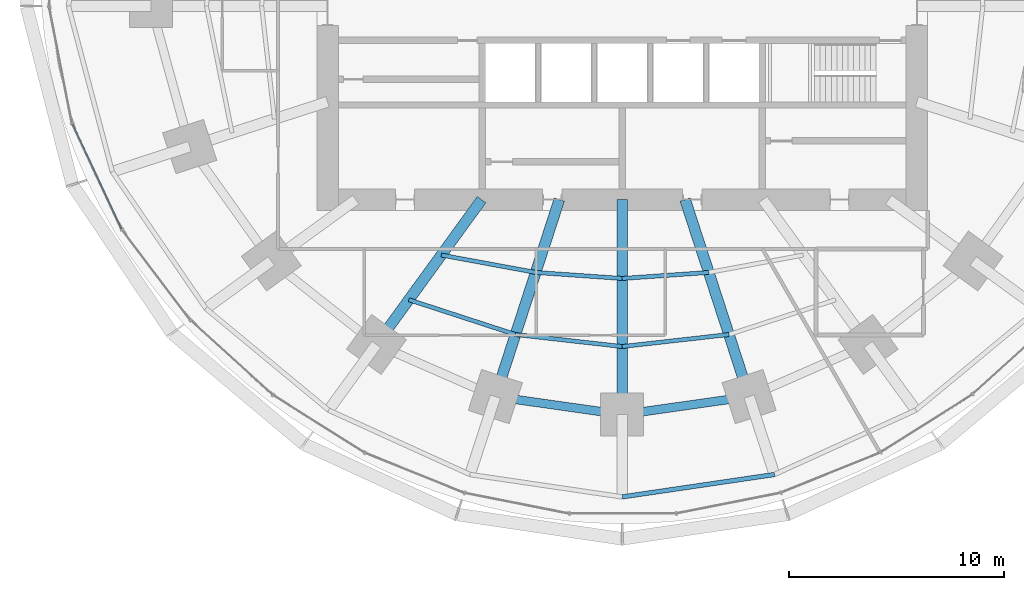
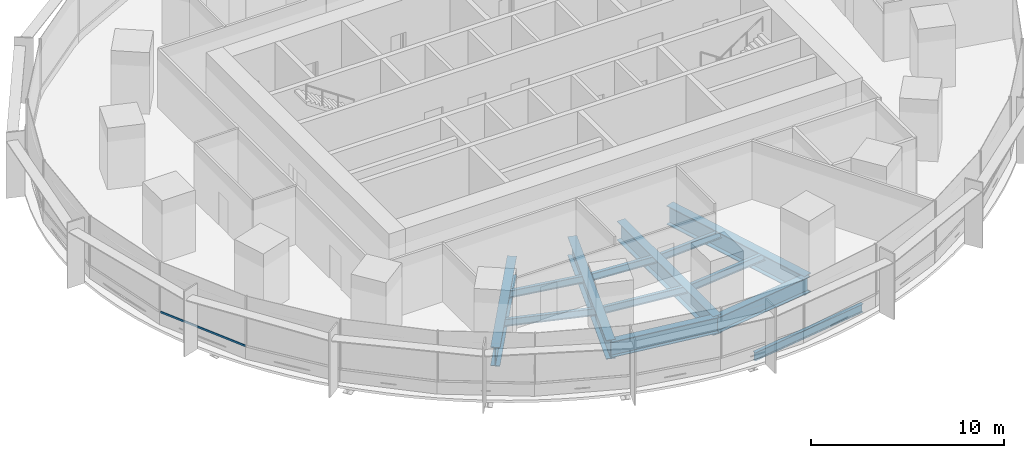
# One storey, part 3 of 15: 13 beams, 1 member, 1 element without a shape of its own.
"""IFC4 building model written with IfcOpenShell, lengths in metres."""

from ifc_helpers import new_model, si_unit, direction, frame, origin, origin_2d, place, context, subcontext, project, spatial, rectangle, i_section, extrude, material, material_profile, profile_set, type_object, element, aggregate, save


model = new_model("IFC4")

# Units and contexts
model_context = context("Model", 3, precision=1e-05, world=origin(), true_north=direction((0.0, 1.0)))
body_context = subcontext(model_context, "Body", "Model", "MODEL_VIEW")
ifc_project = project(units=[si_unit("LENGTHUNIT", "METRE"), si_unit("AREAUNIT", "SQUARE_METRE"), si_unit("VOLUMEUNIT", "CUBIC_METRE"), si_unit("PLANEANGLEUNIT", "RADIAN"), si_unit("MASSUNIT", "GRAM", prefix="KILO")], contexts=[model_context])

# Site, building, storey
site_placement = place(None, origin())
site = spatial("IfcSite", under=ifc_project, at=site_placement, CompositionType="ELEMENT")
building_placement = place(site_placement, origin())
building = spatial("IfcBuilding", under=site, at=building_placement, Name="Marramba Exchange Tower", CompositionType="ELEMENT")
storey_placement = place(building_placement, frame((0.0, 0.0, 82.60009765625)))
storey = spatial("IfcBuildingStorey", under=building, at=storey_placement, Name="L19", CompositionType="ELEMENT", Elevation=82.60009765625)

# Beams
ifc_material_1 = material(Name="Steel AS/NZS 3679.1 grade 300", Category="steel")
ifc_material_profile_1 = material_profile(ifc_material_1, i_section(OverallWidth=0.18994140625, OverallDepth=0.4541015625, WebThickness=0.008544921875, FlangeThickness=0.0126953125, FilletRadius=0.011474609375, at=origin_2d()), Name="460UB67.1")
ifc_profile_set_1 = profile_set([ifc_material_profile_1], Name="Steel AS/NZS 3679.1 grade 300")
beam_type_1 = type_object("IfcBeamType", Name="Floor joist 460UB67.1", PredefinedType="JOIST", material=ifc_profile_set_1)
beam_1_placement = place(storey_placement, frame((-8.41162109375, -11.57763671875, -0.38720703125), z_axis=(0.983455754421, -0.181148500119, 0.0), x_axis=(0.181148500119, 0.983455754421, 0.0)))
element("IfcBeam", 1, at=beam_1_placement, inside=storey, type_object=beam_type_1, Name="Joist L19 bay 14 row 1", PredefinedType="JOIST", context=body_context, shape_type="SweptSolid", body=[
    extrude(i_section(OverallWidth=0.18994140625, OverallDepth=0.4541015625, WebThickness=0.008544921875, FlangeThickness=0.0126953125, FilletRadius=0.011474609375, at=origin_2d()), origin(), (0.0, 0.0, 1.0), 4.4609375),
])
beam_2_placement = place(storey_placement, frame((-9.9208984375, -13.655029296875, -0.38720703125), z_axis=(0.950764024931, -0.309915744834, 0.0), x_axis=(0.309915744834, 0.950764024931, 0.0)))
element("IfcBeam", 2, at=beam_2_placement, inside=storey, type_object=beam_type_1, Name="Joist L19 bay 14 row 2", PredefinedType="JOIST", context=body_context, shape_type="SweptSolid", body=[
    extrude(i_section(OverallWidth=0.18994140625, OverallDepth=0.4541015625, WebThickness=0.008544921875, FlangeThickness=0.0126953125, FilletRadius=0.011474609375, at=origin_2d()), origin(), (0.0, 0.0, 1.0), 5.2158203125),
])
beam_3_placement = place(storey_placement, frame((-4.0244140625, -12.3857421875, -0.38720703125), z_axis=(0.99759625901, -0.069294328838, 0.0), x_axis=(0.069294328838, 0.99759625901, 0.0)))
element("IfcBeam", 3, at=beam_3_placement, inside=storey, type_object=beam_type_1, Name="Joist L19 bay 15 row 1", PredefinedType="JOIST", context=body_context, shape_type="SweptSolid", body=[
    extrude(i_section(OverallWidth=0.18994140625, OverallDepth=0.4541015625, WebThickness=0.008544921875, FlangeThickness=0.0126953125, FilletRadius=0.011474609375, at=origin_2d()), origin(), (0.0, 0.0, 1.0), 4.0341796875),
])
beam_4_placement = place(storey_placement, frame((-4.9619140625, -15.271484375, -0.38720703125), z_axis=(0.993712018573, -0.111966174106, 0.0), x_axis=(0.111966174106, 0.993712018573, 0.0)))
element("IfcBeam", 4, at=beam_4_placement, inside=storey, type_object=beam_type_1, Name="Joist L19 bay 15 row 2", PredefinedType="JOIST", context=body_context, shape_type="SweptSolid", body=[
    extrude(i_section(OverallWidth=0.18994140625, OverallDepth=0.4541015625, WebThickness=0.008544921875, FlangeThickness=0.0126953125, FilletRadius=0.011474609375, at=origin_2d()), origin(), (0.0, 0.0, 1.0), 4.993408203125),
])
beam_5_placement = place(storey_placement, frame((0.0, -12.665283203125, -0.38720703125), z_axis=(0.99759625901, 0.069294328838, 0.0), x_axis=(-0.069294328838, 0.99759625901, 0.0)))
element("IfcBeam", 5, at=beam_5_placement, inside=storey, type_object=beam_type_1, Name="Joist L19 bay 16 row 1", PredefinedType="JOIST", context=body_context, shape_type="SweptSolid", body=[
    extrude(i_section(OverallWidth=0.18994140625, OverallDepth=0.4541015625, WebThickness=0.008544921875, FlangeThickness=0.0126953125, FilletRadius=0.011474609375, at=origin_2d()), origin(), (0.0, 0.0, 1.0), 4.0341796875),
])
beam_6_placement = place(storey_placement, frame((0.0, -15.83056640625, -0.38720703125), z_axis=(0.993712018573, 0.111966174106, 0.0), x_axis=(-0.111966174106, 0.993712018573, 0.0)))
element("IfcBeam", 6, at=beam_6_placement, inside=storey, type_object=beam_type_1, Name="Joist L19 bay 16 row 2", PredefinedType="JOIST", context=body_context, shape_type="SweptSolid", body=[
    extrude(i_section(OverallWidth=0.18994140625, OverallDepth=0.4541015625, WebThickness=0.008544921875, FlangeThickness=0.0126953125, FilletRadius=0.011474609375, at=origin_2d()), origin(), (0.0, 0.0, 1.0), 4.993408203125),
])
ifc_material_2 = material(Name="Steel AS/NZS 3679.2 grade 300", Category="steel")
ifc_material_profile_2 = material_profile(ifc_material_2, i_section(OverallWidth=0.5, OverallDepth=1.199951171875, WebThickness=0.01611328125, FlangeThickness=0.0400390625, at=origin_2d()), Name="1200WB455")
ifc_profile_set_2 = profile_set([ifc_material_profile_2], Name="Steel AS/NZS 3679.2 grade 300")
beam_type_2 = type_object("IfcBeamType", Name="Radial girder 1200WB455", PredefinedType="BEAM", material=ifc_profile_set_2)
beam_7_placement = place(storey_placement, frame((-6.538818359375, -9.0, -0.760009765625), z_axis=(-0.587787877172, -0.809015087282, 0.0), x_axis=(0.809015087282, -0.587787877172, 0.0)))
element("IfcBeam", 7, at=beam_7_placement, inside=storey, type_object=beam_type_2, Name="Radial girder L19 TC14", PredefinedType="BEAM", context=body_context, shape_type="SweptSolid", body=[
    extrude(i_section(OverallWidth=0.5, OverallDepth=1.199951171875, WebThickness=0.01611328125, FlangeThickness=0.0400390625, at=origin_2d()), origin(), (0.0, 0.0, 1.0), 8.322021484375),
])
beam_8_placement = place(storey_placement, frame((-2.92431640625, -9.0, -0.760009765625), z_axis=(-0.309022428985, -0.951054750466, 0.0), x_axis=(0.951054750466, -0.309022428985, 0.0)))
element("IfcBeam", 8, at=beam_8_placement, inside=storey, type_object=beam_type_2, Name="Radial girder L19 TC15", PredefinedType="BEAM", context=body_context, shape_type="SweptSolid", body=[
    extrude(i_section(OverallWidth=0.5, OverallDepth=1.199951171875, WebThickness=0.01611328125, FlangeThickness=0.0400390625, at=origin_2d()), origin(), (0.0, 0.0, 1.0), 9.628173828125),
])
beam_9_placement = place(storey_placement, frame((0.0, -9.0, -0.760009765625), z_axis=(0.0, -1.0, 0.0), x_axis=(1.0, 0.0, 0.0)))
element("IfcBeam", 9, at=beam_9_placement, inside=storey, type_object=beam_type_2, Name="Radial girder L19 TC16", PredefinedType="BEAM", context=body_context, shape_type="SweptSolid", body=[
    extrude(i_section(OverallWidth=0.5, OverallDepth=1.199951171875, WebThickness=0.01611328125, FlangeThickness=0.0400390625, at=origin_2d()), origin(), (0.0, 0.0, 1.0), 9.99609375),
])
beam_10_placement = place(storey_placement, frame((2.92431640625, -9.0, -0.760009765625), z_axis=(0.309022428985, -0.951054750466, 0.0), x_axis=(0.951054750466, 0.309022428985, 0.0)))
element("IfcBeam", 10, at=beam_10_placement, inside=storey, type_object=beam_type_2, Name="Radial girder L19 TC17", PredefinedType="BEAM", context=body_context, shape_type="SweptSolid", body=[
    extrude(i_section(OverallWidth=0.5, OverallDepth=1.199951171875, WebThickness=0.01611328125, FlangeThickness=0.0400390625, at=origin_2d()), origin(), (0.0, 0.0, 1.0), 9.628173828125),
])
ifc_material_profile_3 = material_profile(ifc_material_2, i_section(OverallWidth=0.39990234375, OverallDepth=1.0, WebThickness=0.01611328125, FlangeThickness=0.031982421875, at=origin_2d()), Name="1000WB322")
ifc_profile_set_3 = profile_set([ifc_material_profile_3], Name="Steel AS/NZS 3679.2 grade 300")
beam_type_3 = type_object("IfcBeamType", Name="Ring beam 1000WB322", PredefinedType="SPANDREL", material=ifc_profile_set_3)
for number, where, z_axis, x_axis, name in (
    (11, (-5.899658203125, -18.156982421875, -0.66015625), (0.990036163016, -0.140813337152, 0.0), (0.140813337152, 0.990036163016, 0.0), "Ring beam L19 TC15-TC16"),
    (12, (0.0, -18.99609375, -0.66015625), (0.990036163016, 0.140813337152, 0.0), (-0.140813337152, 0.990036163016, 0.0), "Ring beam L19 TC16-TC17"),
):
    element("IfcBeam", number, at=place(storey_placement, frame(where, z_axis=z_axis, x_axis=x_axis)), inside=storey, type_object=beam_type_3, Name=name, PredefinedType="SPANDREL", context=body_context, shape_type="SweptSolid", body=[
        extrude(i_section(OverallWidth=0.39990234375, OverallDepth=1.0, WebThickness=0.01611328125, FlangeThickness=0.031982421875, at=origin_2d()), origin(), (0.0, 0.0, 1.0), 5.958984375),
    ])
ifc_material_profile_4 = material_profile(ifc_material_1, i_section(OverallWidth=0.208984375, OverallDepth=0.528076171875, WebThickness=0.009521484375, FlangeThickness=0.01318359375, FilletRadius=0.013916015625, at=origin_2d()), Name="530UB82.0")
ifc_profile_set_4 = profile_set([ifc_material_profile_4], Name="Steel AS/NZS 3679.1 grade 300")
beam_type_4 = type_object("IfcBeamType", Name="Slab edge beam 530UB82.0", PredefinedType="SPANDREL", material=ifc_profile_set_4)
beam_11_placement = place(storey_placement, frame((0.0, -22.822021484375, -0.424072265625), z_axis=(0.989338462178, 0.145634498848, 0.0), x_axis=(-0.145634498848, 0.989338462178, 0.0)))
element("IfcBeam", 13, at=beam_11_placement, inside=storey, type_object=beam_type_4, Name="Slab edge beam L19 TC16-TC17", PredefinedType="SPANDREL", context=body_context, shape_type="SweptSolid", body=[
    extrude(i_section(OverallWidth=0.208984375, OverallDepth=0.528076171875, WebThickness=0.009521484375, FlangeThickness=0.01318359375, FilletRadius=0.013916015625, at=origin_2d()), origin(), (0.0, 0.0, 1.0), 7.153076171875),
])

# Curtain wall, member
ifc_material_3 = material(Name="Aluminium framing, bronze anodised", Category="aluminium")
curtain_wall_type = type_object("IfcCurtainWallType", Name="Trading floor ribbon curtain wall", PredefinedType="USERDEFINED", material=ifc_material_3)
curtain_wall_placement = place(storey_placement, origin())
curtain_wall = element("IfcCurtainWall", 14, at=curtain_wall_placement, inside=storey, type_object=curtain_wall_type, Name="Curtain wall CW3 L19 F16-F20", ObjectType="RIBBON CURTAIN WALL", PredefinedType="USERDEFINED")
ifc_material_4 = material(Name="Aluminium transom, bronze anodised", Category="aluminium")
ifc_material_profile_5 = material_profile(ifc_material_4, rectangle(XDim=0.06005859375, YDim=0.1201171875, at=origin_2d()), Name="CW3 transom 60x120")
ifc_profile_set_5 = profile_set([ifc_material_profile_5], Name="Aluminium transom, bronze anodised")
member_type = type_object("IfcMemberType", Name="Trading floor ribbon curtain wall transom", PredefinedType="USERDEFINED", material=ifc_profile_set_5)
member_placement = place(storey_placement, frame((-25.559326171875, -5.492431640625, 0.829833984375), z_axis=(0.423494101671, -0.905898860718, 0.0), x_axis=(0.905898860718, 0.423494101671, 0.0)))
member = element("IfcMember", 15, at=member_placement, type_object=member_type, Name="CW3 sill transom", ObjectType="TRANSOM", PredefinedType="USERDEFINED", context=body_context, shape_type="SweptSolid", body=[
    extrude(rectangle(XDim=0.06005859375, YDim=0.1201171875, at=origin_2d()), origin(), (0.0, 0.0, 1.0), 5.379150390625),
])
aggregate(curtain_wall, [member])

save(model, "model.ifc")
